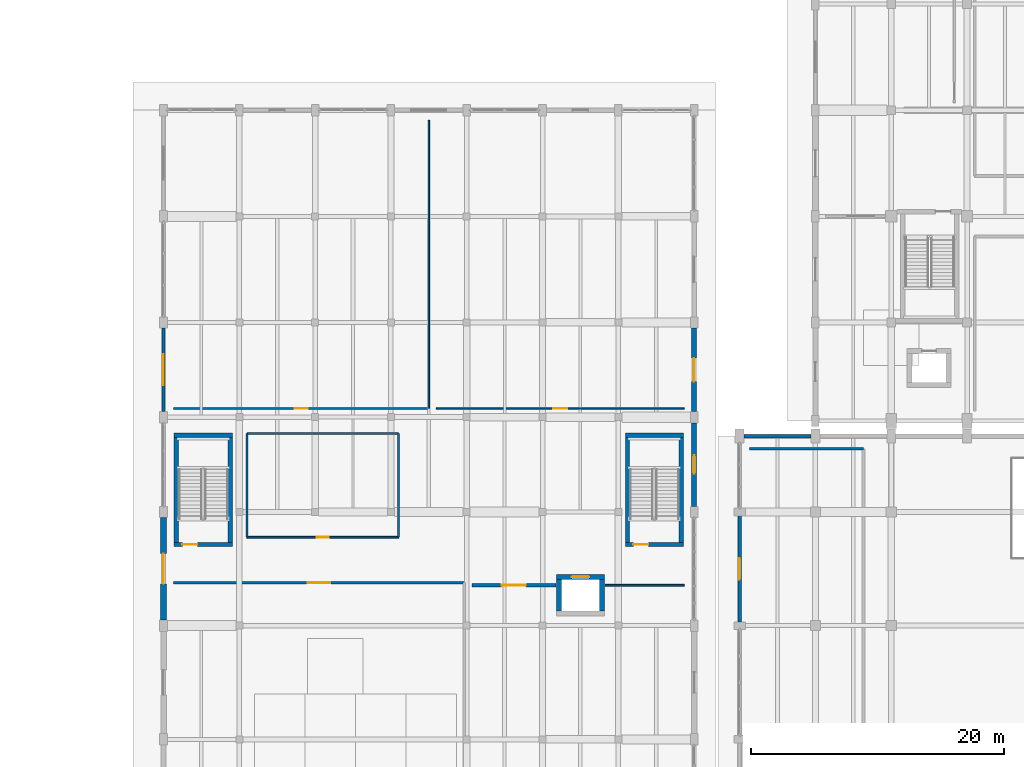
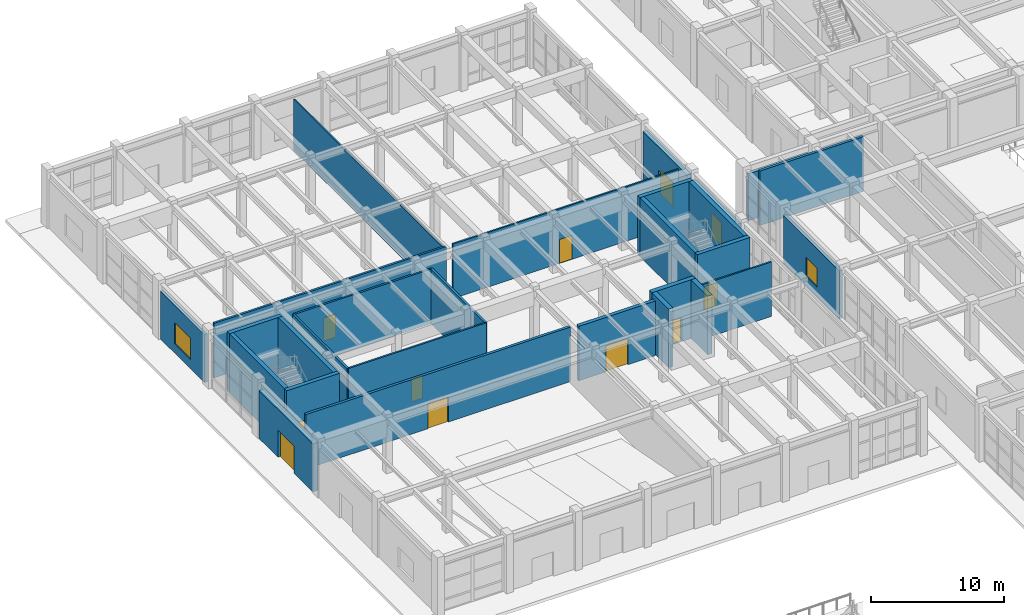
# One storey, part 73 of 91: 28 walls, 10 doors, 3 windows, 13 openings.
"""IFC4 building model written with IfcOpenShell, lengths in metres."""

import ifcopenshell
import ifcopenshell.guid

model = None  # the IFC model being written
_history = None  # IfcOwnerHistory: only IFC2X3 demands one
_inside = {}  # id of a spatial element -> (the spatial element, [elements in it])
_under = {}  # id of a project, library or spatial element -> (it, [spatial elements below it])
_declared = {}  # id of a project -> (the project, [libraries it declares])
_typed = {}  # id of a type object -> (the type object, [elements of that type])
_made_of = {}  # id of a material, layer set ... -> (it, [elements and type objects made of it])


def new_model(schema):
    """Start an empty IFC model of exactly this schema.

    Asked for "IFC4X3", IfcOpenShell would pick the latest addendum, in which some entities
    have other attributes; the version numbers below select the first issue.
    IFC2X3 requires an IfcOwnerHistory on every rooted entity: one is made here for all.
    """
    global model, _history
    if schema == "IFC4X3":
        model = ifcopenshell.file(schema_version=(4, 3, 0, 0))
    else:
        model = ifcopenshell.file(schema=schema)
    _inside.clear()
    _under.clear()
    _declared.clear()
    _typed.clear()
    _made_of.clear()
    _history = None
    if model.schema == "IFC2X3":
        org = make("IfcOrganization", Name="unknown")
        user = make(
            "IfcPersonAndOrganization",
            ThePerson=make("IfcPerson", FamilyName="unknown"),
            TheOrganization=org,
        )
        app = make(
            "IfcApplication",
            ApplicationDeveloper=org,
            Version="unknown",
            ApplicationFullName="unknown",
            ApplicationIdentifier="unknown",
        )
        _history = make(
            "IfcOwnerHistory",
            OwningUser=user,
            OwningApplication=app,
            ChangeAction="ADDED",
            CreationDate=0,
        )
    return model


def make(cls, **values):
    """One entity of the class cls with the attributes given. An attribute that is None is left unset."""
    return model.create_entity(
        cls, **{name: value for name, value in values.items() if value is not None}
    )


def rooted(cls, **values):
    """An entity with a GlobalId (a new one), such as an element, a storey or a relation."""
    return make(cls, GlobalId=ifcopenshell.guid.new(), OwnerHistory=_history, **values)


def si_unit(unit_type, name, prefix=None):
    """IfcSIUnit, for example si_unit("LENGTHUNIT", "METRE", prefix="MILLI")."""
    return make("IfcSIUnit", UnitType=unit_type, Prefix=prefix, Name=name)


def assignment(units):
    """IfcUnitAssignment: the units of a project."""
    return None if units is None else make("IfcUnitAssignment", Units=units)


def point(xyz):
    """IfcCartesianPoint."""
    return None if xyz is None else make("IfcCartesianPoint", Coordinates=xyz)


def direction(xyz):
    """IfcDirection."""
    return None if xyz is None else make("IfcDirection", DirectionRatios=xyz)


def frame(location, z_axis=None, x_axis=None):
    """IfcAxis2Placement3D, a coordinate frame: its origin and axes. An axis left out is left unset."""
    return make(
        "IfcAxis2Placement3D",
        Location=point(location),
        Axis=direction(z_axis),
        RefDirection=direction(x_axis),
    )


def frame_2d(location, x_axis=None):
    """IfcAxis2Placement2D, a coordinate frame in the plane: its origin and x axis."""
    return make(
        "IfcAxis2Placement2D", Location=point(location), RefDirection=direction(x_axis)
    )


def origin():
    """The frame at (0, 0, 0) with its axes left unset."""
    return frame((0.0, 0.0, 0.0))


def place(relative_to, where):
    """IfcLocalPlacement: puts the frame where relative to a parent placement (None: the world)."""
    return make(
        "IfcLocalPlacement", PlacementRelTo=relative_to, RelativePlacement=where
    )


def context(
    kind, dimensions, precision=None, world=None, true_north=None, identifier=None
):
    """IfcGeometricRepresentationContext, for example the 3D "Model" context."""
    return make(
        "IfcGeometricRepresentationContext",
        ContextIdentifier=identifier,
        ContextType=kind,
        CoordinateSpaceDimension=dimensions,
        Precision=precision,
        WorldCoordinateSystem=world,
        TrueNorth=true_north,
    )


def subcontext(parent, identifier, kind, view, scale=None):
    """IfcGeometricRepresentationSubContext, for example "Body" below "Model"."""
    return make(
        "IfcGeometricRepresentationSubContext",
        ContextIdentifier=identifier,
        ContextType=kind,
        ParentContext=parent,
        TargetScale=scale,
        TargetView=view,
    )


def project(units=None, contexts=None):
    """IfcProject with its units and contexts."""
    return rooted(
        "IfcProject",
        Name="project",
        RepresentationContexts=contexts,
        UnitsInContext=assignment(units),
    )


def spatial(cls, under=None, at=None, **own):
    """A site, building, storey or space (cls), placed at a placement, below another one or the project."""
    s = rooted(cls, ObjectPlacement=at, **own)
    if under is not None:
        _under.setdefault(under.id(), (under, []))[1].append(s)
    return s


def profile(cls, at=None, kind="AREA", **sizes):
    """A parametric profile (cls). Its sizes go by their IFC names, for example OverallWidth=200.0."""
    return make(cls, ProfileType=kind, Position=at, **sizes)


def rectangle(**sizes):
    """IfcRectangleProfileDef."""
    return profile("IfcRectangleProfileDef", **sizes)


def extrude(swept, where, along, depth):
    """IfcExtrudedAreaSolid: the profile swept, set in the frame where, extruded along a direction by depth."""
    return make(
        "IfcExtrudedAreaSolid",
        SweptArea=swept,
        Position=where,
        ExtrudedDirection=direction(along),
        Depth=depth,
    )


def shape(context_of_items, identifier, shape_type, items):
    """IfcShapeRepresentation: the items that make up one representation, for example the "Body"."""
    return make(
        "IfcShapeRepresentation",
        ContextOfItems=context_of_items,
        RepresentationIdentifier=identifier,
        RepresentationType=shape_type,
        Items=items,
    )


def material(Name=None, Category=None):
    """IfcMaterial."""
    return make("IfcMaterial", Name=Name, Category=Category)


def layer(
    of_material, thickness, ventilated=None, Name=None, Category=None, Priority=None
):
    """IfcMaterialLayer: one layer of a wall or slab, of a material (None: an air gap)."""
    return make(
        "IfcMaterialLayer",
        Material=of_material,
        LayerThickness=thickness,
        IsVentilated=ventilated,
        Name=Name,
        Category=Category,
        Priority=Priority,
    )


def layer_set(layers, Name=None):
    """IfcMaterialLayerSet."""
    return make("IfcMaterialLayerSet", MaterialLayers=layers, LayerSetName=Name)


def made_of(thing, what):
    """Note that an element or type object is made of a material, layer set ...; save() writes the relation."""
    if what is not None:
        _made_of.setdefault(what.id(), (what, []))[1].append(thing)
    return thing


def type_object(cls, material=None, **own):
    """A type object (cls), such as IfcWallType, which elements share."""
    return made_of(rooted(cls, **own), material)


def element(
    cls,
    number,
    at=None,
    inside=None,
    cuts=None,
    type_object=None,
    material=None,
    context=None,
    identifier="Body",
    shape_type=None,
    held_by="IfcProductDefinitionShape",
    body=None,
    shapes=None,
    **own,
):
    """One element of the class cls, such as IfcWall. Its Tag is "e" and its number.

    at: its placement. inside: the storey or other place that contains it. cuts: it is an
    opening in that element (IfcRelVoidsElement). A single representation is given by context,
    identifier, shape_type and body (its items); several are given by shapes. held_by: the class
    of the entity that holds the representations. save() writes the other relations.
    """
    e = rooted(cls, Tag="e%d" % number, ObjectPlacement=at, **own)
    if body is not None:
        shapes = [shape(context, identifier, shape_type, body)]
    if shapes is not None:
        e.Representation = make(held_by, Representations=shapes)
    if inside is not None:
        _inside.setdefault(inside.id(), (inside, []))[1].append(e)
    if cuts is not None:
        rooted(
            "IfcRelVoidsElement", RelatingBuildingElement=cuts, RelatedOpeningElement=e
        )
    if type_object is not None:
        _typed.setdefault(type_object.id(), (type_object, []))[1].append(e)
    return made_of(e, material)


def fill(opening, filler):
    """IfcRelFillsElement: the door or window that sits in an opening."""
    return rooted(
        "IfcRelFillsElement",
        RelatingOpeningElement=opening,
        RelatedBuildingElement=filler,
    )


def aggregate(whole, parts):
    """IfcRelAggregates: a whole, such as a stair, and the parts it consists of."""
    return rooted("IfcRelAggregates", RelatingObject=whole, RelatedObjects=parts)


def save(model, path):
    """Write the relations noted so far, then the file.

    IfcRelAggregates (storeys below a building ...), IfcRelContainedInSpatialStructure (elements
    in a storey), IfcRelDefinesByType, IfcRelAssociatesMaterial and IfcRelDeclares: one each for
    every whole, place, type object, material and project.
    """
    for whole, parts in _under.values():
        aggregate(whole, parts)
    for where, things in _inside.values():
        rooted(
            "IfcRelContainedInSpatialStructure",
            RelatedElements=things,
            RelatingStructure=where,
        )
    for kind, things in _typed.values():
        rooted("IfcRelDefinesByType", RelatedObjects=things, RelatingType=kind)
    for what, things in _made_of.values():
        rooted("IfcRelAssociatesMaterial", RelatedObjects=things, RelatingMaterial=what)
    for by, libraries in _declared.values():
        rooted("IfcRelDeclares", RelatingContext=by, RelatedDefinitions=libraries)
    model.write(path)


model = new_model("IFC4")

# Units and contexts
model_context = context("Model", 3, precision=1e-05, world=origin(), true_north=direction((0.0, 1.0)))
body_context = subcontext(model_context, "Body", "Model", "MODEL_VIEW")
ifc_project = project(units=[si_unit("LENGTHUNIT", "METRE"), si_unit("AREAUNIT", "SQUARE_METRE"), si_unit("VOLUMEUNIT", "CUBIC_METRE"), si_unit("PLANEANGLEUNIT", "RADIAN"), si_unit("MASSUNIT", "GRAM", prefix="KILO")], contexts=[model_context])

# Site, building, storey
site_placement = place(None, origin())
site = spatial("IfcSite", under=ifc_project, at=site_placement, CompositionType="ELEMENT")
building_placement = place(site_placement, origin())
building = spatial("IfcBuilding", under=site, at=building_placement, Name="Vaelkrest Opera House", CompositionType="ELEMENT")
storey_placement = place(building_placement, origin())
storey = spatial("IfcBuildingStorey", under=building, at=storey_placement, Name="L00", CompositionType="ELEMENT", Elevation=0.0)

# Wall, opening, window
ifc_material_1 = material(Name="Douglas fir glulam GL28h", Category="wood")
ifc_layer_1 = layer(ifc_material_1, 0.2548828125)
ifc_layer_set_1 = layer_set([ifc_layer_1], Name="Douglas fir glulam GL28h")
wall_type_1 = type_object("IfcWallType", Name="EW01", PredefinedType="STANDARD", material=ifc_layer_set_1)
wall_1_placement = place(storey_placement, frame((-75.60009765625, 18.14794921875, 0.0), z_axis=(0.0, 0.0, 1.0), x_axis=(0.0, 1.0, 0.0)))
wall_1 = element("IfcWall", 1, at=wall_1_placement, inside=storey, type_object=wall_type_1, Name="Exterior facade wall EW-V3-L00-0151", PredefinedType="STANDARD", context=body_context, shape_type="SweptSolid", body=[
    extrude(rectangle(XDim=6.60400390625, YDim=0.2548828125, at=frame_2d((3.302001953125, 0.0))), origin(), (0.0, 0.0, 1.0), 4.404052734375),
])
opening_1_placement = place(wall_1_placement, frame((2.076904296875, 0.0, 0.85009765625)))
opening_1 = element("IfcOpeningElement", 2, at=opening_1_placement, cuts=wall_1, Name="Opening WN062", PredefinedType="OPENING", context=body_context, shape_type="SweptSolid", body=[
    extrude(rectangle(XDim=2.449951171875, YDim=1.949951171875, at=frame_2d((1.22509765625, 0.97509765625))), frame((0.0, 0.137451171875, 0.0), z_axis=(0.0, -1.0, 0.0), x_axis=(1.0, 0.0, 0.0)), (0.0, 0.0, 1.0), 0.27490234375),
])
ifc_material_2 = material(Name="Double low-E insulated glazing", Category="glass")
window_type_1 = type_object("IfcWindowType", Name="WT10", PartitioningType="SINGLE_PANEL", PredefinedType="WINDOW", material=ifc_material_2)
window_1_placement = place(opening_1_placement, origin())
window_1 = element("IfcWindow", 3, at=window_1_placement, inside=storey, type_object=window_type_1, Name="Facade window WN062", OverallHeight=1.949951171875, OverallWidth=2.449951171875, PartitioningType="SINGLE_PANEL", PredefinedType="WINDOW", context=body_context, shape_type="SweptSolid", body=[
    extrude(rectangle(XDim=2.449951171875, YDim=1.949951171875, at=frame_2d((1.22509765625, 0.97509765625))), frame((0.0, 0.030029296875, 0.0), z_axis=(0.0, -1.0, 0.0), x_axis=(1.0, 0.0, 0.0)), (0.0, 0.0, 1.0), 0.06005859375),
])
fill(opening_1, window_1)

ifc_layer_2 = layer(ifc_material_1, 0.27490234375)
ifc_layer_set_2 = layer_set([ifc_layer_2], Name="Douglas fir glulam GL28h")
wall_type_2 = type_object("IfcWallType", Name="EW02", PredefinedType="STANDARD", material=ifc_layer_set_2)
wall_2_placement = place(storey_placement, frame((-30.0, 1.498046875, 0.0), z_axis=(0.0, 0.0, 1.0), x_axis=(0.0, 1.0, 0.0)))
wall_2 = element("IfcWall", 4, at=wall_2_placement, inside=storey, type_object=wall_type_2, Name="Exterior facade wall EW-V1-L00-0012", PredefinedType="STANDARD", context=body_context, shape_type="SweptSolid", body=[
    extrude(rectangle(XDim=8.404052734375, YDim=0.27490234375, at=frame_2d((4.2021484375, 0.0))), origin(), (0.0, 0.0, 1.0), 4.404052734375),
])
opening_2_placement = place(wall_2_placement, frame((3.35205078125, 0.0, 0.85009765625)))
opening_2 = element("IfcOpeningElement", 5, at=opening_2_placement, cuts=wall_2, Name="Opening WN005", PredefinedType="OPENING", context=body_context, shape_type="SweptSolid", body=[
    extrude(rectangle(XDim=1.699951171875, YDim=1.75, at=frame_2d((0.85009765625, 0.875))), frame((0.0, 0.1474609375, 0.0), z_axis=(0.0, -1.0, 0.0), x_axis=(1.0, 0.0, 0.0)), (0.0, 0.0, 1.0), 0.294921875),
])
window_type_2 = type_object("IfcWindowType", Name="WT05", PartitioningType="SINGLE_PANEL", PredefinedType="WINDOW", material=ifc_material_2)
window_2_placement = place(opening_2_placement, origin())
window_2 = element("IfcWindow", 6, at=window_2_placement, inside=storey, type_object=window_type_2, Name="Facade window WN005", OverallHeight=1.75, OverallWidth=1.699951171875, PartitioningType="SINGLE_PANEL", PredefinedType="WINDOW", context=body_context, shape_type="SweptSolid", body=[
    extrude(rectangle(XDim=1.699951171875, YDim=1.75, at=frame_2d((0.85009765625, 0.875))), frame((0.0, 0.030029296875, 0.0), z_axis=(0.0, -1.0, 0.0), x_axis=(1.0, 0.0, 0.0)), (0.0, 0.0, 1.0), 0.06005859375),
])
fill(opening_2, window_2)

# Wall
ifc_layer_3 = layer(ifc_material_1, 0.294921875)
ifc_layer_set_3 = layer_set([ifc_layer_3], Name="Douglas fir glulam GL28h")
wall_type_3 = type_object("IfcWallType", Name="EW03", PredefinedType="STANDARD", material=ifc_layer_set_3)
wall_3_placement = place(storey_placement, frame((-29.652099609375, 16.199951171875, 0.0), z_axis=(0.0, 0.0, 1.0), x_axis=(1.0, 0.0, 0.0)))
element("IfcWall", 7, at=wall_3_placement, inside=storey, type_object=wall_type_3, Name="Exterior facade wall EW-V1-L00-0013", PredefinedType="STANDARD", context=body_context, shape_type="SweptSolid", body=[
    extrude(rectangle(XDim=5.30419921875, YDim=0.294921875, at=frame_2d((2.652099609375, 0.0))), origin(), (0.0, 0.0, 1.0), 4.320068359375),
])

# Wall, opening, door
ifc_material_3 = material(Name="Concrete C40/50", Category="concrete")
ifc_layer_4 = layer(ifc_material_3, 0.385009765625)
ifc_layer_set_4 = layer_set([ifc_layer_4], Name="Concrete C40/50")
wall_type_4 = type_object("IfcWallType", Name="EW07", PredefinedType="STANDARD", material=ifc_layer_set_4)
wall_4_placement = place(storey_placement, frame((-33.60009765625, 24.751953125, 0.0), z_axis=(0.0, 0.0, 1.0), x_axis=(0.0, -1.0, 0.0)))
wall_4 = element("IfcWall", 8, at=wall_4_placement, inside=storey, type_object=wall_type_4, Name="Exterior facade wall EW-V3-L00-0157", PredefinedType="STANDARD", context=body_context, shape_type="SweptSolid", body=[
    extrude(rectangle(XDim=6.60400390625, YDim=0.385009765625, at=frame_2d((3.302001953125, 0.0))), origin(), (0.0, 0.0, 1.0), 4.404052734375),
])
opening_3_placement = place(wall_4_placement, frame((2.376953125, 0.0, 0.0)))
opening_3 = element("IfcOpeningElement", 9, at=opening_3_placement, cuts=wall_4, Name="Opening ED18", PredefinedType="OPENING", context=body_context, shape_type="SweptSolid", body=[
    extrude(rectangle(XDim=1.85009765625, YDim=2.25, at=frame_2d((0.925048828125, 1.125))), frame((0.0, 0.202392578125, 0.0), z_axis=(0.0, -1.0, 0.0), x_axis=(1.0, 0.0, 0.0)), (0.0, 0.0, 1.0), 0.405029296875),
])
ifc_material_4 = material(Name="Dark bronze anodized aluminium", Category="aluminium")
door_type_1 = type_object("IfcDoorType", Name="EDT02", OperationType="DOUBLE_DOOR_SINGLE_SWING", PredefinedType="DOOR", material=ifc_material_4)
door_1_placement = place(opening_3_placement, origin())
door_1 = element("IfcDoor", 10, at=door_1_placement, inside=storey, type_object=door_type_1, Name="Exterior exit door ED18", OperationType="DOUBLE_DOOR_SINGLE_SWING", OverallHeight=2.25, OverallWidth=1.85009765625, PredefinedType="DOOR", context=body_context, shape_type="SweptSolid", body=[
    extrude(rectangle(XDim=1.85009765625, YDim=2.25, at=frame_2d((0.925048828125, 1.125))), frame((0.0, 0.02490234375, 0.0), z_axis=(0.0, -1.0, 0.0), x_axis=(1.0, 0.0, 0.0)), (0.0, 0.0, 1.0), 0.050048828125),
])
fill(opening_3, door_1)

# Wall, opening, window
ifc_layer_5 = layer(ifc_material_3, 0.409912109375)
ifc_layer_set_5 = layer_set([ifc_layer_5], Name="Concrete C40/50")
wall_type_5 = type_object("IfcWallType", Name="EW08", PredefinedType="STANDARD", material=ifc_layer_set_5)
wall_5_placement = place(storey_placement, frame((-33.60009765625, 17.251953125, 0.0), z_axis=(0.0, 0.0, 1.0), x_axis=(0.0, -1.0, 0.0)))
wall_5 = element("IfcWall", 11, at=wall_5_placement, inside=storey, type_object=wall_type_5, Name="Exterior facade wall EW-V3-L00-0158", PredefinedType="STANDARD", context=body_context, shape_type="SweptSolid", body=[
    extrude(rectangle(XDim=6.60400390625, YDim=0.409912109375, at=frame_2d((3.302001953125, 0.0))), origin(), (0.0, 0.0, 1.0), 4.404052734375),
])
opening_4_placement = place(wall_5_placement, frame((2.576904296875, 0.0, 0.85009765625)))
opening_4 = element("IfcOpeningElement", 12, at=opening_4_placement, cuts=wall_5, Name="Opening WN066", PredefinedType="OPENING", context=body_context, shape_type="SweptSolid", body=[
    extrude(rectangle(XDim=1.449951171875, YDim=2.10009765625, at=frame_2d((0.72509765625, 1.050048828125))), frame((0.0, 0.21484375, 0.0), z_axis=(0.0, -1.0, 0.0), x_axis=(1.0, 0.0, 0.0)), (0.0, 0.0, 1.0), 0.429931640625),
])
window_type_3 = type_object("IfcWindowType", Name="WT14", PartitioningType="SINGLE_PANEL", PredefinedType="WINDOW", material=ifc_material_2)
window_3_placement = place(opening_4_placement, origin())
window_3 = element("IfcWindow", 13, at=window_3_placement, inside=storey, type_object=window_type_3, Name="Facade window WN066", OverallHeight=2.10009765625, OverallWidth=1.449951171875, PartitioningType="SINGLE_PANEL", PredefinedType="WINDOW", context=body_context, shape_type="SweptSolid", body=[
    extrude(rectangle(XDim=1.449951171875, YDim=2.10009765625, at=frame_2d((0.72509765625, 1.050048828125))), frame((0.0, 0.030029296875, 0.0), z_axis=(0.0, -1.0, 0.0), x_axis=(1.0, 0.0, 0.0)), (0.0, 0.0, 1.0), 0.06005859375),
])
fill(opening_4, window_3)

# Wall, opening, door
ifc_layer_6 = layer(ifc_material_3, 0.465087890625)
ifc_layer_set_6 = layer_set([ifc_layer_6], Name="Concrete C40/50")
wall_type_6 = type_object("IfcWallType", Name="EW10", PredefinedType="STANDARD", material=ifc_layer_set_6)
wall_6_placement = place(storey_placement, frame((-75.60009765625, 1.64794921875, 0.0), z_axis=(0.0, 0.0, 1.0), x_axis=(0.0, 1.0, 0.0)))
wall_6 = element("IfcWall", 14, at=wall_6_placement, inside=storey, type_object=wall_type_6, Name="Exterior facade wall EW-V3-L00-0150", PredefinedType="STANDARD", context=body_context, shape_type="SweptSolid", body=[
    extrude(rectangle(XDim=8.10400390625, YDim=0.465087890625, at=frame_2d((4.052001953125, 0.0))), origin(), (0.0, 0.0, 1.0), 4.404052734375),
])
opening_5_placement = place(wall_6_placement, frame((2.85205078125, 0.0, 0.0)))
opening_5 = element("IfcOpeningElement", 15, at=opening_5_placement, cuts=wall_6, Name="Opening ED16", PredefinedType="OPENING", context=body_context, shape_type="SweptSolid", body=[
    extrude(rectangle(XDim=2.39990234375, YDim=2.5, at=frame_2d((1.199951171875, 1.25))), frame((0.0, 0.242431640625, 0.0), z_axis=(0.0, -1.0, 0.0), x_axis=(1.0, 0.0, 0.0)), (0.0, 0.0, 1.0), 0.485107421875),
])
door_type_2 = type_object("IfcDoorType", Name="EDT08", OperationType="DOUBLE_DOOR_SINGLE_SWING", PredefinedType="DOOR", material=ifc_material_4)
door_2_placement = place(opening_5_placement, origin())
door_2 = element("IfcDoor", 16, at=door_2_placement, inside=storey, type_object=door_type_2, Name="Exterior exit door ED16", OperationType="DOUBLE_DOOR_SINGLE_SWING", OverallHeight=2.5, OverallWidth=2.39990234375, PredefinedType="DOOR", context=body_context, shape_type="SweptSolid", body=[
    extrude(rectangle(XDim=2.39990234375, YDim=2.5, at=frame_2d((1.199951171875, 1.25))), frame((0.0, 0.02490234375, 0.0), z_axis=(0.0, -1.0, 0.0), x_axis=(1.0, 0.0, 0.0)), (0.0, 0.0, 1.0), 0.050048828125),
])
fill(opening_5, door_2)

# Wall
ifc_material_5 = material(Name="Gypsum acoustic board", Category="gypsum")
ifc_layer_7 = layer(ifc_material_5, 0.1201171875)
ifc_layer_set_7 = layer_set([ifc_layer_7], Name="Gypsum acoustic board")
wall_type_7 = type_object("IfcWallType", Name="PT01", PredefinedType="PARTITIONING", material=ifc_layer_set_7)
wall_7_placement = place(storey_placement, frame((-54.60009765625, 18.39990234375, 0.0), z_axis=(0.0, 0.0, 1.0), x_axis=(0.0, 1.0, 0.0)))
element("IfcWall", 17, at=wall_7_placement, inside=storey, type_object=wall_type_7, Name="Interior partition PT-V3-L00-0281", PredefinedType="PARTITIONING", context=body_context, shape_type="SweptSolid", body=[
    extrude(rectangle(XDim=22.800048828125, YDim=0.1201171875, at=frame_2d((11.39990234375, 0.0))), origin(), (0.0, 0.0, 1.0), 4.7119140625),
])

# Wall, opening, door
ifc_layer_8 = layer(ifc_material_5, 0.135009765625)
ifc_layer_set_8 = layer_set([ifc_layer_8], Name="Gypsum acoustic board")
wall_type_8 = type_object("IfcWallType", Name="PT02", PredefinedType="PARTITIONING", material=ifc_layer_set_8)
wall_8_placement = place(storey_placement, frame((-54.0, 18.39990234375, 0.0), z_axis=(0.0, 0.0, 1.0), x_axis=(1.0, 0.0, 0.0)))
wall_8 = element("IfcWall", 18, at=wall_8_placement, inside=storey, type_object=wall_type_8, Name="Interior partition PT-V3-L00-0282", PredefinedType="PARTITIONING", context=body_context, shape_type="SweptSolid", body=[
    extrude(rectangle(XDim=19.60009765625, YDim=0.135009765625, at=frame_2d((9.800048828125, 0.0))), origin(), (0.0, 0.0, 1.0), 5.02001953125),
])
opening_6_placement = place(wall_8_placement, frame((9.25, 0.0, 0.0)))
opening_6 = element("IfcOpeningElement", 19, at=opening_6_placement, cuts=wall_8, Name="Opening D111", PredefinedType="OPENING", context=body_context, shape_type="SweptSolid", body=[
    extrude(rectangle(XDim=1.10009765625, YDim=2.199951171875, at=frame_2d((0.550048828125, 1.10009765625))), frame((0.0, 0.077392578125, 0.0), z_axis=(0.0, -1.0, 0.0), x_axis=(1.0, 0.0, 0.0)), (0.0, 0.0, 1.0), 0.155029296875),
])
ifc_material_6 = material(Name="American black walnut acoustic timber", Category="wood")
door_type_3 = type_object("IfcDoorType", Name="DT06", OperationType="NOTDEFINED", PredefinedType="DOOR", material=ifc_material_6)
door_3_placement = place(opening_6_placement, origin())
door_3 = element("IfcDoor", 20, at=door_3_placement, inside=storey, type_object=door_type_3, Name="Interior door D111 (Community Room)", OperationType="SINGLE_SWING_LEFT", OverallHeight=2.199951171875, OverallWidth=1.10009765625, PredefinedType="DOOR", context=body_context, shape_type="SweptSolid", body=[
    extrude(rectangle(XDim=1.10009765625, YDim=2.199951171875, at=frame_2d((0.550048828125, 1.10009765625))), frame((0.0, 0.02490234375, 0.0), z_axis=(0.0, -1.0, 0.0), x_axis=(1.0, 0.0, 0.0)), (0.0, 0.0, 1.0), 0.050048828125),
])
fill(opening_6, door_3)

ifc_layer_9 = layer(ifc_material_5, 0.14990234375)
ifc_layer_set_9 = layer_set([ifc_layer_9], Name="Gypsum acoustic board")
wall_type_9 = type_object("IfcWallType", Name="PT03", PredefinedType="PARTITIONING", material=ifc_layer_set_9)
wall_9_placement = place(storey_placement, frame((-69.0, 8.199951171875, 0.0), z_axis=(0.0, 0.0, 1.0), x_axis=(1.0, 0.0, 0.0)))
wall_9 = element("IfcWall", 21, at=wall_9_placement, inside=storey, type_object=wall_type_9, Name="Interior partition PT-V3-L00-0283", PredefinedType="PARTITIONING", context=body_context, shape_type="SweptSolid", body=[
    extrude(rectangle(XDim=12.0, YDim=0.14990234375, at=frame_2d((6.0, 0.0))), origin(), (0.0, 0.0, 1.0), 5.02001953125),
])
opening_7_placement = place(wall_9_placement, frame((5.530029296875, 0.0, 0.0)))
opening_7 = element("IfcOpeningElement", 22, at=opening_7_placement, cuts=wall_9, Name="Opening D112", PredefinedType="OPENING", context=body_context, shape_type="SweptSolid", body=[
    extrude(rectangle(XDim=0.93994140625, YDim=2.10009765625, at=frame_2d((0.469970703125, 1.050048828125))), frame((0.0, 0.0849609375, 0.0), z_axis=(0.0, -1.0, 0.0), x_axis=(1.0, 0.0, 0.0)), (0.0, 0.0, 1.0), 0.169921875),
])
door_type_4 = type_object("IfcDoorType", Name="DT02", OperationType="NOTDEFINED", PredefinedType="DOOR", material=ifc_material_6)
door_4_placement = place(opening_7_placement, origin())
door_4 = element("IfcDoor", 23, at=door_4_placement, inside=storey, type_object=door_type_4, Name="Interior door D112 (Accessible Washroom)", OperationType="SINGLE_SWING_RIGHT", OverallHeight=2.10009765625, OverallWidth=0.93994140625, PredefinedType="DOOR", context=body_context, shape_type="SweptSolid", body=[
    extrude(rectangle(XDim=0.93994140625, YDim=2.10009765625, at=frame_2d((0.469970703125, 1.050048828125))), frame((0.0, 0.02490234375, 0.0), z_axis=(0.0, -1.0, 0.0), x_axis=(1.0, 0.0, 0.0)), (0.0, 0.0, 1.0), 0.050048828125),
])
fill(opening_7, door_4)

# Walls
ifc_layer_10 = layer(ifc_material_5, 0.1650390625)
ifc_layer_set_10 = layer_set([ifc_layer_10], Name="Gypsum acoustic board")
wall_type_10 = type_object("IfcWallType", Name="PT04", PredefinedType="PARTITIONING", material=ifc_layer_set_10)
wall_10_placement = place(storey_placement, frame((-69.0, 16.39990234375, 0.0), z_axis=(0.0, 0.0, 1.0), x_axis=(1.0, 0.0, 0.0)))
element("IfcWall", 24, at=wall_10_placement, inside=storey, type_object=wall_type_10, Name="Interior partition PT-V3-L00-0284", PredefinedType="PARTITIONING", context=body_context, shape_type="SweptSolid", body=[
    extrude(rectangle(XDim=12.0, YDim=0.1650390625, at=frame_2d((6.0, 0.0))), origin(), (0.0, 0.0, 1.0), 5.02001953125),
])
ifc_layer_11 = layer(ifc_material_5, 0.179931640625)
ifc_layer_set_11 = layer_set([ifc_layer_11], Name="Gypsum acoustic board")
wall_type_11 = type_object("IfcWallType", Name="PT05", PredefinedType="PARTITIONING", material=ifc_layer_set_11)
wall_11_placement = place(storey_placement, frame((-69.0, 8.199951171875, 0.0), z_axis=(0.0, 0.0, 1.0), x_axis=(0.0, 1.0, 0.0)))
element("IfcWall", 25, at=wall_11_placement, inside=storey, type_object=wall_type_11, Name="Interior partition PT-V3-L00-0285", PredefinedType="PARTITIONING", context=body_context, shape_type="SweptSolid", body=[
    extrude(rectangle(XDim=8.199951171875, YDim=0.179931640625, at=frame_2d((4.10009765625, 0.0))), origin(), (0.0, 0.0, 1.0), 5.02001953125),
])
ifc_layer_12 = layer(ifc_material_5, 0.195068359375)
ifc_layer_set_12 = layer_set([ifc_layer_12], Name="Gypsum acoustic board")
wall_type_12 = type_object("IfcWallType", Name="PT06", PredefinedType="PARTITIONING", material=ifc_layer_set_12)
wall_12_placement = place(storey_placement, frame((-57.0, 8.199951171875, 0.0), z_axis=(0.0, 0.0, 1.0), x_axis=(0.0, 1.0, 0.0)))
element("IfcWall", 26, at=wall_12_placement, inside=storey, type_object=wall_type_12, Name="Interior partition PT-V3-L00-0286", PredefinedType="PARTITIONING", context=body_context, shape_type="SweptSolid", body=[
    extrude(rectangle(XDim=8.199951171875, YDim=0.195068359375, at=frame_2d((4.10009765625, 0.0))), origin(), (0.0, 0.0, 1.0), 5.02001953125),
])
ifc_layer_13 = layer(ifc_material_6, 0.22509765625)
ifc_layer_set_13 = layer_set([ifc_layer_13], Name="American black walnut acoustic timber")
wall_type_13 = type_object("IfcWallType", Name="PT08", PredefinedType="PARTITIONING", material=ifc_layer_set_13)
wall_13_placement = place(storey_placement, frame((-29.199951171875, 15.199951171875, 0.0), z_axis=(0.0, 0.0, 1.0), x_axis=(1.0, 0.0, 0.0)))
element("IfcWall", 27, at=wall_13_placement, inside=storey, type_object=wall_type_13, Name="Interior partition PT-V1-L00-0050", PredefinedType="PARTITIONING", context=body_context, shape_type="SweptSolid", body=[
    extrude(rectangle(XDim=9.0, YDim=0.22509765625, at=frame_2d((4.5, 0.0))), origin(), (0.0, 0.0, 1.0), 5.02001953125),
])

# Wall, opening, door
wall_14_placement = place(storey_placement, frame((-74.800048828125, 4.60009765625, 0.0), z_axis=(0.0, 0.0, 1.0), x_axis=(1.0, 0.0, 0.0)))
wall_14 = element("IfcWall", 28, at=wall_14_placement, inside=storey, type_object=wall_type_13, Name="Interior partition PT-V3-L00-0276", PredefinedType="PARTITIONING", context=body_context, shape_type="SweptSolid", body=[
    extrude(rectangle(XDim=23.0, YDim=0.22509765625, at=frame_2d((11.5, 0.0))), origin(), (0.0, 0.0, 1.0), 5.02001953125),
])
opening_8_placement = place(wall_14_placement, frame((10.610107421875, 0.0, 0.0)))
opening_8 = element("IfcOpeningElement", 29, at=opening_8_placement, cuts=wall_14, Name="Opening D108", PredefinedType="OPENING", context=body_context, shape_type="SweptSolid", body=[
    extrude(rectangle(XDim=1.780029296875, YDim=2.300048828125, at=frame_2d((0.89013671875, 1.14990234375))), frame((0.0, 0.12255859375, 0.0), z_axis=(0.0, -1.0, 0.0), x_axis=(1.0, 0.0, 0.0)), (0.0, 0.0, 1.0), 0.2451171875),
])
door_type_5 = type_object("IfcDoorType", Name="DT20", OperationType="DOUBLE_DOOR_SINGLE_SWING", PredefinedType="DOOR", material=ifc_material_6)
door_5_placement = place(opening_8_placement, origin())
door_5 = element("IfcDoor", 30, at=door_5_placement, inside=storey, type_object=door_type_5, Name="Interior door D108 (Studio Stage)", OperationType="DOUBLE_DOOR_SINGLE_SWING", OverallHeight=2.300048828125, OverallWidth=1.780029296875, PredefinedType="DOOR", context=body_context, shape_type="SweptSolid", body=[
    extrude(rectangle(XDim=1.780029296875, YDim=2.300048828125, at=frame_2d((0.89013671875, 1.14990234375))), frame((0.0, 0.02490234375, 0.0), z_axis=(0.0, -1.0, 0.0), x_axis=(1.0, 0.0, 0.0)), (0.0, 0.0, 1.0), 0.050048828125),
])
fill(opening_8, door_5)

ifc_layer_14 = layer(ifc_material_3, 0.304931640625)
ifc_layer_set_14 = layer_set([ifc_layer_14], Name="Concrete C40/50")
wall_type_14 = type_object("IfcWallType", Name="PT12", PredefinedType="PARTITIONING", material=ifc_layer_set_14)
wall_15_placement = place(storey_placement, frame((-51.199951171875, 4.39990234375, 0.0), z_axis=(0.0, 0.0, 1.0), x_axis=(1.0, 0.0, 0.0)))
wall_15 = element("IfcWall", 31, at=wall_15_placement, inside=storey, type_object=wall_type_14, Name="Interior partition PT-V3-L00-0278", PredefinedType="PARTITIONING", context=body_context, shape_type="SweptSolid", body=[
    extrude(rectangle(XDim=6.64990234375, YDim=0.304931640625, at=frame_2d((3.324951171875, 0.0))), origin(), (0.0, 0.0, 1.0), 5.02001953125),
])
opening_9_placement = place(wall_15_placement, frame((2.364990234375, 0.0, 0.0)))
opening_9 = element("IfcOpeningElement", 32, at=opening_9_placement, cuts=wall_15, Name="Opening D109", PredefinedType="OPENING", context=body_context, shape_type="SweptSolid", body=[
    extrude(rectangle(XDim=1.919921875, YDim=2.39990234375, at=frame_2d((0.9599609375, 1.199951171875))), frame((0.0, 0.162353515625, 0.0), z_axis=(0.0, -1.0, 0.0), x_axis=(1.0, 0.0, 0.0)), (0.0, 0.0, 1.0), 0.324951171875),
])
door_type_6 = type_object("IfcDoorType", Name="DT25", OperationType="DOUBLE_DOOR_SINGLE_SWING", PredefinedType="DOOR", material=ifc_material_6)
door_6_placement = place(opening_9_placement, origin())
door_6 = element("IfcDoor", 33, at=door_6_placement, inside=storey, type_object=door_type_6, Name="Interior door D109 (Main Foyer)", OperationType="DOUBLE_DOOR_SINGLE_SWING", OverallHeight=2.39990234375, OverallWidth=1.919921875, PredefinedType="DOOR", context=body_context, shape_type="SweptSolid", body=[
    extrude(rectangle(XDim=1.919921875, YDim=2.39990234375, at=frame_2d((0.9599609375, 1.199951171875))), frame((0.0, 0.02490234375, 0.0), z_axis=(0.0, -1.0, 0.0), x_axis=(1.0, 0.0, 0.0)), (0.0, 0.0, 1.0), 0.050048828125),
])
fill(opening_9, door_6)

# Wall
ifc_layer_15 = layer(ifc_material_5, 0.14501953125)
ifc_layer_set_15 = layer_set([ifc_layer_15], Name="Gypsum acoustic board")
wall_type_15 = type_object("IfcWallType", Name="PT13", PredefinedType="PARTITIONING", material=ifc_layer_set_15)
wall_16_placement = place(storey_placement, frame((-40.64990234375, 4.39990234375, 0.0), z_axis=(0.0, 0.0, 1.0), x_axis=(1.0, 0.0, 0.0)))
element("IfcWall", 34, at=wall_16_placement, inside=storey, type_object=wall_type_15, Name="Interior partition PT-V3-L00-0279", PredefinedType="PARTITIONING", context=body_context, shape_type="SweptSolid", body=[
    extrude(rectangle(XDim=6.25, YDim=0.14501953125, at=frame_2d((3.125, 0.0))), origin(), (0.0, 0.0, 1.0), 5.02001953125),
])

# Wall, opening, door
ifc_layer_16 = layer(ifc_material_6, 0.175048828125)
ifc_layer_set_16 = layer_set([ifc_layer_16], Name="American black walnut acoustic timber")
wall_type_16 = type_object("IfcWallType", Name="PT14", PredefinedType="PARTITIONING", material=ifc_layer_set_16)
wall_17_placement = place(storey_placement, frame((-74.800048828125, 18.39990234375, 0.0), z_axis=(0.0, 0.0, 1.0), x_axis=(1.0, 0.0, 0.0)))
wall_17 = element("IfcWall", 35, at=wall_17_placement, inside=storey, type_object=wall_type_16, Name="Interior partition PT-V3-L00-0280", PredefinedType="PARTITIONING", context=body_context, shape_type="SweptSolid", body=[
    extrude(rectangle(XDim=20.199951171875, YDim=0.175048828125, at=frame_2d((10.10009765625, 0.0))), origin(), (0.0, 0.0, 1.0), 5.02001953125),
])
opening_10_placement = place(wall_17_placement, frame((9.570068359375, 0.0, 0.0)))
opening_10 = element("IfcOpeningElement", 36, at=opening_10_placement, cuts=wall_17, Name="Opening D110", PredefinedType="OPENING", context=body_context, shape_type="SweptSolid", body=[
    extrude(rectangle(XDim=1.06005859375, YDim=2.14990234375, at=frame_2d((0.530029296875, 1.074951171875))), frame((0.0, 0.097412109375, 0.0), z_axis=(0.0, -1.0, 0.0), x_axis=(1.0, 0.0, 0.0)), (0.0, 0.0, 1.0), 0.195068359375),
])
door_type_7 = type_object("IfcDoorType", Name="DT05", OperationType="NOTDEFINED", PredefinedType="DOOR", material=ifc_material_6)
door_7_placement = place(opening_10_placement, origin())
door_7 = element("IfcDoor", 37, at=door_7_placement, inside=storey, type_object=door_type_7, Name="Interior door D110 (Education Studio)", OperationType="SINGLE_SWING_RIGHT", OverallHeight=2.14990234375, OverallWidth=1.06005859375, PredefinedType="DOOR", context=body_context, shape_type="SweptSolid", body=[
    extrude(rectangle(XDim=1.06005859375, YDim=2.14990234375, at=frame_2d((0.530029296875, 1.074951171875))), frame((0.0, 0.02490234375, 0.0), z_axis=(0.0, -1.0, 0.0), x_axis=(1.0, 0.0, 0.0)), (0.0, 0.0, 1.0), 0.050048828125),
])
fill(opening_10, door_7)

ifc_material_7 = material(Name="Concrete C50/60", Category="concrete")
ifc_layer_17 = layer(ifc_material_7, 0.35009765625)
ifc_layer_set_17 = layer_set([ifc_layer_17], Name="Concrete C50/60")
wall_type_17 = type_object("IfcWallType", Name="SW01", PredefinedType="SHEAR", material=ifc_layer_set_17)
wall_18_placement = place(storey_placement, frame((-70.14990234375, 7.625, 0.0), z_axis=(0.0, 0.0, 1.0), x_axis=(-1.0, 0.0, 0.0)))
wall_18 = element("IfcWall", 38, at=wall_18_placement, inside=storey, type_object=wall_type_17, Name="Stair core ST07 wall L00 S", PredefinedType="SHEAR", context=body_context, shape_type="SweptSolid", body=[
    extrude(rectangle(XDim=4.60009765625, YDim=0.35009765625, at=frame_2d((2.300048828125, 0.0))), origin(), (0.0, 0.0, 1.0), 5.39990234375),
])
opening_11_placement = place(wall_18_placement, frame((2.77001953125, 0.0, 0.0)))
opening_11 = element("IfcOpeningElement", 39, at=opening_11_placement, cuts=wall_18, Name="Opening SD-ST07-L00", PredefinedType="OPENING", context=body_context, shape_type="SweptSolid", body=[
    extrude(rectangle(XDim=1.179931640625, YDim=2.14990234375, at=frame_2d((0.58984375, 1.074951171875))), frame((0.0, 0.18505859375, 0.0), z_axis=(0.0, -1.0, 0.0), x_axis=(1.0, 0.0, 0.0)), (0.0, 0.0, 1.0), 0.3701171875),
])
door_type_8 = type_object("IfcDoorType", Name="DT07", OperationType="NOTDEFINED", PredefinedType="DOOR", material=ifc_material_6)
door_8_placement = place(opening_11_placement, origin())
door_8 = element("IfcDoor", 40, at=door_8_placement, inside=storey, type_object=door_type_8, Name="Protected stair door SD-ST07-L00", OperationType="SINGLE_SWING_LEFT", OverallHeight=2.14990234375, OverallWidth=1.179931640625, PredefinedType="DOOR", context=body_context, shape_type="SweptSolid", body=[
    extrude(rectangle(XDim=1.179931640625, YDim=2.14990234375, at=frame_2d((0.58984375, 1.074951171875))), frame((0.0, 0.02490234375, 0.0), z_axis=(0.0, -1.0, 0.0), x_axis=(1.0, 0.0, 0.0)), (0.0, 0.0, 1.0), 0.050048828125),
])
fill(opening_11, door_8)

# Walls
wall_19_placement = place(storey_placement, frame((-74.574951171875, 7.800048828125, 0.0), z_axis=(0.0, 0.0, 1.0), x_axis=(0.0, 1.0, 0.0)))
element("IfcWall", 41, at=wall_19_placement, inside=storey, type_object=wall_type_17, Name="Stair core ST07 wall L00 W", PredefinedType="SHEAR", context=body_context, shape_type="SweptSolid", body=[
    extrude(rectangle(XDim=8.300048828125, YDim=0.35009765625, at=frame_2d((4.14990234375, 0.0))), origin(), (0.0, 0.0, 1.0), 5.39990234375),
])
wall_20_placement = place(storey_placement, frame((-74.75, 16.27490234375, 0.0), z_axis=(0.0, 0.0, 1.0), x_axis=(1.0, 0.0, 0.0)))
element("IfcWall", 42, at=wall_20_placement, inside=storey, type_object=wall_type_17, Name="Stair core ST07 wall L00 N", PredefinedType="SHEAR", context=body_context, shape_type="SweptSolid", body=[
    extrude(rectangle(XDim=4.60009765625, YDim=0.35009765625, at=frame_2d((2.300048828125, 0.0))), origin(), (0.0, 0.0, 1.0), 5.39990234375),
])
wall_21_placement = place(storey_placement, frame((-70.324951171875, 16.10009765625, 0.0), z_axis=(0.0, 0.0, 1.0), x_axis=(0.0, -1.0, 0.0)))
element("IfcWall", 43, at=wall_21_placement, inside=storey, type_object=wall_type_17, Name="Stair core ST07 wall L00 E", PredefinedType="SHEAR", context=body_context, shape_type="SweptSolid", body=[
    extrude(rectangle(XDim=8.300048828125, YDim=0.35009765625, at=frame_2d((4.14990234375, 0.0))), origin(), (0.0, 0.0, 1.0), 5.39990234375),
])

# Wall, opening, door
wall_22_placement = place(storey_placement, frame((-34.449951171875, 7.625, 0.0), z_axis=(0.0, 0.0, 1.0), x_axis=(-1.0, 0.0, 0.0)))
wall_22 = element("IfcWall", 44, at=wall_22_placement, inside=storey, type_object=wall_type_17, Name="Stair core ST08 wall L00 S", PredefinedType="SHEAR", context=body_context, shape_type="SweptSolid", body=[
    extrude(rectangle(XDim=4.60009765625, YDim=0.35009765625, at=frame_2d((2.300048828125, 0.0))), origin(), (0.0, 0.0, 1.0), 5.39990234375),
])
opening_12_placement = place(wall_22_placement, frame((2.77001953125, 0.0, 0.0)))
opening_12 = element("IfcOpeningElement", 45, at=opening_12_placement, cuts=wall_22, Name="Opening SD-ST08-L00", PredefinedType="OPENING", context=body_context, shape_type="SweptSolid", body=[
    extrude(rectangle(XDim=1.179931640625, YDim=2.14990234375, at=frame_2d((0.58984375, 1.074951171875))), frame((0.0, 0.18505859375, 0.0), z_axis=(0.0, -1.0, 0.0), x_axis=(1.0, 0.0, 0.0)), (0.0, 0.0, 1.0), 0.3701171875),
])
door_9_placement = place(opening_12_placement, origin())
door_9 = element("IfcDoor", 46, at=door_9_placement, inside=storey, type_object=door_type_8, Name="Protected stair door SD-ST08-L00", OperationType="SINGLE_SWING_LEFT", OverallHeight=2.14990234375, OverallWidth=1.179931640625, PredefinedType="DOOR", context=body_context, shape_type="SweptSolid", body=[
    extrude(rectangle(XDim=1.179931640625, YDim=2.14990234375, at=frame_2d((0.58984375, 1.074951171875))), frame((0.0, 0.02490234375, 0.0), z_axis=(0.0, -1.0, 0.0), x_axis=(1.0, 0.0, 0.0)), (0.0, 0.0, 1.0), 0.050048828125),
])
fill(opening_12, door_9)

# Walls
wall_23_placement = place(storey_placement, frame((-38.875, 7.800048828125, 0.0), z_axis=(0.0, 0.0, 1.0), x_axis=(0.0, 1.0, 0.0)))
element("IfcWall", 47, at=wall_23_placement, inside=storey, type_object=wall_type_17, Name="Stair core ST08 wall L00 W", PredefinedType="SHEAR", context=body_context, shape_type="SweptSolid", body=[
    extrude(rectangle(XDim=8.300048828125, YDim=0.35009765625, at=frame_2d((4.14990234375, 0.0))), origin(), (0.0, 0.0, 1.0), 5.39990234375),
])
wall_24_placement = place(storey_placement, frame((-39.050048828125, 16.27490234375, 0.0), z_axis=(0.0, 0.0, 1.0), x_axis=(1.0, 0.0, 0.0)))
element("IfcWall", 48, at=wall_24_placement, inside=storey, type_object=wall_type_17, Name="Stair core ST08 wall L00 N", PredefinedType="SHEAR", context=body_context, shape_type="SweptSolid", body=[
    extrude(rectangle(XDim=4.60009765625, YDim=0.35009765625, at=frame_2d((2.300048828125, 0.0))), origin(), (0.0, 0.0, 1.0), 5.39990234375),
])
wall_25_placement = place(storey_placement, frame((-34.625, 16.10009765625, 0.0), z_axis=(0.0, 0.0, 1.0), x_axis=(0.0, -1.0, 0.0)))
element("IfcWall", 49, at=wall_25_placement, inside=storey, type_object=wall_type_17, Name="Stair core ST08 wall L00 E", PredefinedType="SHEAR", context=body_context, shape_type="SweptSolid", body=[
    extrude(rectangle(XDim=8.300048828125, YDim=0.35009765625, at=frame_2d((4.14990234375, 0.0))), origin(), (0.0, 0.0, 1.0), 5.39990234375),
])

# Wall, opening, door
ifc_layer_18 = layer(ifc_material_7, 0.389892578125)
ifc_layer_set_18 = layer_set([ifc_layer_18], Name="Concrete C50/60")
wall_type_18 = type_object("IfcWallType", Name="SW02", PredefinedType="SHEAR", material=ifc_layer_set_18)
wall_26_placement = place(storey_placement, frame((-44.489990234375, 5.044921875, 0.0), z_axis=(0.0, 0.0, 1.0), x_axis=(1.0, 0.0, 0.0)))
wall_26 = element("IfcWall", 50, at=wall_26_placement, inside=storey, type_object=wall_type_18, Name="Lift shaft LP05 wall L00 N", PredefinedType="SHEAR", context=body_context, shape_type="SweptSolid", body=[
    extrude(rectangle(XDim=3.780029296875, YDim=0.389892578125, at=frame_2d((1.89013671875, 0.0))), origin(), (0.0, 0.0, 1.0), 5.39990234375),
])
opening_13_placement = place(wall_26_placement, frame((1.18994140625, 0.0, 0.0)))
opening_13 = element("IfcOpeningElement", 51, at=opening_13_placement, cuts=wall_26, Name="Opening LD-LP05-L00", PredefinedType="OPENING", context=body_context, shape_type="SweptSolid", body=[
    extrude(rectangle(XDim=1.39990234375, YDim=2.199951171875, at=frame_2d((0.699951171875, 1.10009765625))), frame((0.0, 0.204833984375, 0.0), z_axis=(0.0, -1.0, 0.0), x_axis=(1.0, 0.0, 0.0)), (0.0, 0.0, 1.0), 0.409912109375),
])
door_type_9 = type_object("IfcDoorType", Name="LDT02", OperationType="SLIDING_TO_LEFT", PredefinedType="DOOR", material=ifc_material_4)
door_10_placement = place(opening_13_placement, origin())
door_10 = element("IfcDoor", 52, at=door_10_placement, inside=storey, type_object=door_type_9, Name="Lift landing sliding door LD-LP05-L00", OperationType="SLIDING_TO_LEFT", OverallHeight=2.199951171875, OverallWidth=1.39990234375, PredefinedType="DOOR", context=body_context, shape_type="SweptSolid", body=[
    extrude(rectangle(XDim=1.39990234375, YDim=2.199951171875, at=frame_2d((0.699951171875, 1.10009765625))), frame((0.0, 0.02490234375, 0.0), z_axis=(0.0, -1.0, 0.0), x_axis=(1.0, 0.0, 0.0)), (0.0, 0.0, 1.0), 0.050048828125),
])
fill(opening_13, door_10)

# Walls
for number, where, z_axis, x_axis, name in (
    (53, (-44.294921875, 2.35009765625, 0.0), (0.0, 0.0, 1.0), (0.0, 1.0, 0.0), "Lift shaft LP05 wall L00 W"),
    (54, (-40.905029296875, 4.85009765625, 0.0), (0.0, 0.0, 1.0), (0.0, -1.0, 0.0), "Lift shaft LP05 wall L00 E"),
):
    element("IfcWall", number, at=place(storey_placement, frame(where, z_axis=z_axis, x_axis=x_axis)), inside=storey, type_object=wall_type_18, Name=name, PredefinedType="SHEAR", context=body_context, shape_type="SweptSolid", body=[
        extrude(rectangle(XDim=2.5, YDim=0.389892578125, at=frame_2d((1.25, 0.0))), origin(), (0.0, 0.0, 1.0), 5.39990234375),
    ])

save(model, "model.ifc")
